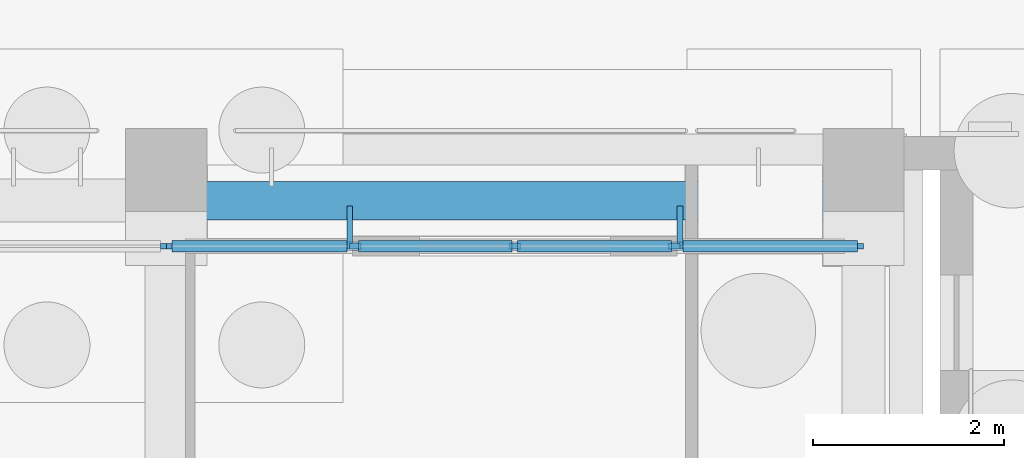
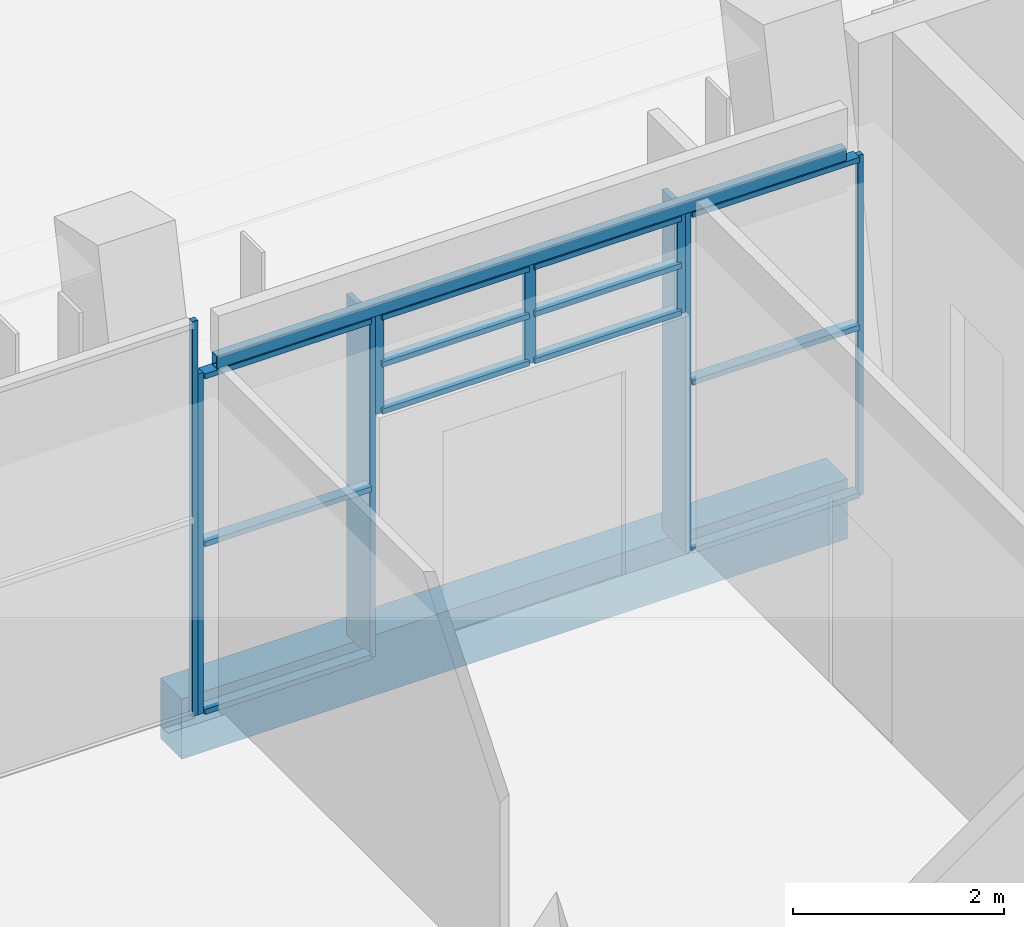
# One storey, part 82 of 144: 20 members, 2 beams, 4 elements without a shape of their own.
"""IFC4 building model written with IfcOpenShell, lengths in metres."""

from ifc_helpers import new_model, si_unit, direction, frame, origin, origin_2d, place, context, subcontext, project, spatial, rectangle, hollow_rectangle, extrude, material, material_profile, profile_set, type_object, element, aggregate, save


model = new_model("IFC4")

# Units and contexts
model_context = context("Model", 3, precision=1e-05, world=origin(), true_north=direction((0.0, 1.0)))
body_context = subcontext(model_context, "Body", "Model", "MODEL_VIEW")
ifc_project = project(units=[si_unit("LENGTHUNIT", "METRE"), si_unit("AREAUNIT", "SQUARE_METRE"), si_unit("VOLUMEUNIT", "CUBIC_METRE"), si_unit("PLANEANGLEUNIT", "RADIAN"), si_unit("MASSUNIT", "GRAM", prefix="KILO")], contexts=[model_context])

# Site, building, storey
site_placement = place(None, origin())
site = spatial("IfcSite", under=ifc_project, at=site_placement, CompositionType="ELEMENT")
building_placement = place(site_placement, origin())
building = spatial("IfcBuilding", under=site, at=building_placement, Name="Lantern Court Media Centre", CompositionType="ELEMENT")
storey_placement = place(building_placement, origin())
storey = spatial("IfcBuildingStorey", under=building, at=storey_placement, Name="L00", CompositionType="ELEMENT", Elevation=0.0)

# Curtain wall, members
ifc_material_1 = material(Name="Curtain wall bay 1700")
curtain_wall_type_1 = type_object("IfcCurtainWallType", Name="Curtain wall bay 1700", PredefinedType="NOTDEFINED", material=ifc_material_1)
curtain_wall_1_placement = place(storey_placement, origin())
curtain_wall_1 = element("IfcCurtainWall", 1, at=curtain_wall_1_placement, inside=storey, type_object=curtain_wall_type_1, Name="Curtain wall N outer L00", PredefinedType="NOTDEFINED")
ifc_material_2 = material(Name="Anodised aluminium", Category="aluminium")
ifc_material_profile_1 = material_profile(ifc_material_2, rectangle(XDim=0.06005859375, YDim=0.1201171875, at=origin_2d()), Name="AL 60x120")
ifc_profile_set_1 = profile_set([ifc_material_profile_1], Name="Anodised aluminium")
member_type_1 = type_object("IfcMemberType", Name="Curtain wall mullion 60x120", PredefinedType="MULLION", material=ifc_profile_set_1)
member_1_placement = place(storey_placement, frame((73.97998046875, 110.85009765625, 2.800048828125), z_axis=(0.0, 0.0, 1.0), x_axis=(0.0, 1.0, 0.0)))
member_1 = element("IfcMember", 2, at=member_1_placement, type_object=member_type_1, Name="CW4 mullion 1", PredefinedType="MULLION", context=body_context, shape_type="SweptSolid", body=[
    extrude(rectangle(XDim=0.06005859375, YDim=0.1201171875, at=origin_2d()), origin(), (0.0, 0.0, 1.0), 1.14990234375),
])
member_2_placement = place(storey_placement, frame((75.64990234375, 110.85009765625, 2.800048828125), z_axis=(0.0, 0.0, 1.0), x_axis=(0.0, 1.0, 0.0)))
member_2 = element("IfcMember", 3, at=member_2_placement, type_object=member_type_1, Name="CW4 mullion 2", PredefinedType="MULLION", context=body_context, shape_type="SweptSolid", body=[
    extrude(rectangle(XDim=0.06005859375, YDim=0.1201171875, at=origin_2d()), origin(), (0.0, 0.0, 1.0), 1.14990234375),
])
member_3_placement = place(storey_placement, frame((77.320068359375, 110.85009765625, 2.800048828125), z_axis=(0.0, 0.0, 1.0), x_axis=(0.0, 1.0, 0.0)))
member_3 = element("IfcMember", 4, at=member_3_placement, type_object=member_type_1, Name="CW4 mullion 3", PredefinedType="MULLION", context=body_context, shape_type="SweptSolid", body=[
    extrude(rectangle(XDim=0.06005859375, YDim=0.1201171875, at=origin_2d()), origin(), (0.0, 0.0, 1.0), 1.14990234375),
])

# Curtain wall, member
ifc_material_3 = material(Name="Curtain wall bay 3000")
curtain_wall_type_2 = type_object("IfcCurtainWallType", Name="Curtain wall bay 3000", PredefinedType="NOTDEFINED", material=ifc_material_3)
curtain_wall_2_placement = place(storey_placement, origin())
curtain_wall_2 = element("IfcCurtainWall", 5, at=curtain_wall_2_placement, inside=storey, type_object=curtain_wall_type_2, Name="Curtain wall N outer L00", PredefinedType="NOTDEFINED")
ifc_material_profile_2 = material_profile(ifc_material_2, rectangle(XDim=0.449951171875, YDim=0.06005859375, at=origin_2d()), Name="AL 60x450")
ifc_profile_set_2 = profile_set([ifc_material_profile_2], Name="Anodised aluminium")
member_type_2 = type_object("IfcMemberType", Name="Curtain wall mullion 60x450", PredefinedType="MULLION", material=ifc_profile_set_2)
member_4_placement = place(storey_placement, frame((73.919921875, 111.044921875, 0.0), z_axis=(0.0, 0.0, 1.0), x_axis=(0.0, 1.0, 0.0)))
member_4 = element("IfcMember", 6, at=member_4_placement, type_object=member_type_2, Name="CW1 mullion 2", PredefinedType="MULLION", context=body_context, shape_type="SweptSolid", body=[
    extrude(rectangle(XDim=0.449951171875, YDim=0.06005859375, at=origin_2d()), origin(), (0.0, 0.0, 1.0), 3.949951171875),
])

curtain_wall_3_placement = place(storey_placement, origin())
curtain_wall_3 = element("IfcCurtainWall", 7, at=curtain_wall_3_placement, inside=storey, type_object=curtain_wall_type_2, Name="Curtain wall N outer L00", PredefinedType="NOTDEFINED")
member_5_placement = place(storey_placement, frame((77.3798828125, 111.044921875, 0.0), z_axis=(0.0, 0.0, 1.0), x_axis=(0.0, 1.0, 0.0)))
member_5 = element("IfcMember", 8, at=member_5_placement, type_object=member_type_2, Name="CW1 mullion 1", PredefinedType="MULLION", context=body_context, shape_type="SweptSolid", body=[
    extrude(rectangle(XDim=0.449951171875, YDim=0.06005859375, at=origin_2d()), origin(), (0.0, 0.0, 1.0), 3.949951171875),
])

curtain_wall_4_placement = place(storey_placement, origin())
curtain_wall_4 = element("IfcCurtainWall", 9, at=curtain_wall_4_placement, inside=storey, type_object=curtain_wall_type_2, Name="Curtain wall N outer L00", PredefinedType="NOTDEFINED")
ifc_material_profile_3 = material_profile(ifc_material_2, rectangle(XDim=0.06005859375, YDim=0.06005859375, at=origin_2d()), Name="AL 60x60")
ifc_profile_set_3 = profile_set([ifc_material_profile_3], Name="Anodised aluminium")
member_type_3 = type_object("IfcMemberType", Name="Curtain wall mullion 60x60", PredefinedType="MULLION", material=ifc_profile_set_3)
member_6_placement = place(storey_placement, frame((71.969970703125, 110.85009765625, 0.0), z_axis=(0.0, 0.0, 1.0), x_axis=(0.0, 1.0, 0.0)))
member_6 = element("IfcMember", 10, at=member_6_placement, type_object=member_type_3, Name="CW1 mullion 3", PredefinedType="MULLION", context=body_context, shape_type="SweptSolid", body=[
    extrude(rectangle(XDim=0.06005859375, YDim=0.06005859375, at=origin_2d()), origin(), (0.0, 0.0, 1.0), 4.580078125),
])
aggregate(curtain_wall_4, [member_6])

# Member
member_7_placement = place(storey_placement, frame((72.030029296875, 110.85009765625, 0.0), z_axis=(0.0, 0.0, 1.0), x_axis=(0.0, 1.0, 0.0)))
member_7 = element("IfcMember", 11, at=member_7_placement, type_object=member_type_3, Name="CW1 mullion 1", PredefinedType="MULLION", context=body_context, shape_type="SweptSolid", body=[
    extrude(rectangle(XDim=0.06005859375, YDim=0.06005859375, at=origin_2d()), origin(), (0.0, 0.0, 1.0), 3.949951171875),
])

member_8_placement = place(storey_placement, frame((79.27001953125, 110.85009765625, 0.0), z_axis=(0.0, 0.0, 1.0), x_axis=(0.0, 1.0, 0.0)))
member_8 = element("IfcMember", 12, at=member_8_placement, type_object=member_type_3, Name="CW1 mullion 2", PredefinedType="MULLION", context=body_context, shape_type="SweptSolid", body=[
    extrude(rectangle(XDim=0.06005859375, YDim=0.06005859375, at=origin_2d()), origin(), (0.0, 0.0, 1.0), 3.949951171875),
])

ifc_material_profile_4 = material_profile(ifc_material_2, rectangle(XDim=0.1201171875, YDim=0.06005859375, at=origin_2d()), Name="AL 60x120")
ifc_profile_set_4 = profile_set([ifc_material_profile_4], Name="Anodised aluminium")
member_type_4 = type_object("IfcMemberType", Name="Curtain wall transom 60x120", PredefinedType="USERDEFINED", material=ifc_profile_set_4)
member_9_placement = place(storey_placement, frame((72.06005859375, 110.85009765625, 0.030029296875), z_axis=(1.0, 0.0, 0.0), x_axis=(0.0, 1.0, 0.0)))
member_9 = element("IfcMember", 13, at=member_9_placement, type_object=member_type_4, Name="CW1 transom 1.1", ObjectType="TRANSOM", PredefinedType="USERDEFINED", context=body_context, shape_type="SweptSolid", body=[
    extrude(rectangle(XDim=0.1201171875, YDim=0.06005859375, at=origin_2d()), origin(), (0.0, 0.0, 1.0), 1.829833984375),
])

member_10_placement = place(storey_placement, frame((72.06005859375, 110.85009765625, 1.97509765625), z_axis=(1.0, 0.0, 0.0), x_axis=(0.0, 1.0, 0.0)))
member_10 = element("IfcMember", 14, at=member_10_placement, type_object=member_type_4, Name="CW1 transom 1.2", ObjectType="TRANSOM", PredefinedType="USERDEFINED", context=body_context, shape_type="SweptSolid", body=[
    extrude(rectangle(XDim=0.1201171875, YDim=0.06005859375, at=origin_2d()), origin(), (0.0, 0.0, 1.0), 1.829833984375),
])

member_11_placement = place(storey_placement, frame((72.06005859375, 110.85009765625, 3.919921875), z_axis=(1.0, 0.0, 0.0), x_axis=(0.0, 1.0, 0.0)))
member_11 = element("IfcMember", 15, at=member_11_placement, type_object=member_type_4, Name="CW1 transom 1.3", ObjectType="TRANSOM", PredefinedType="USERDEFINED", context=body_context, shape_type="SweptSolid", body=[
    extrude(rectangle(XDim=0.1201171875, YDim=0.06005859375, at=origin_2d()), origin(), (0.0, 0.0, 1.0), 1.829833984375),
])

aggregate(curtain_wall_2, [member_7, member_4, member_9, member_10, member_11])

member_12_placement = place(storey_placement, frame((77.409912109375, 110.85009765625, 0.030029296875), z_axis=(1.0, 0.0, 0.0), x_axis=(0.0, 1.0, 0.0)))
member_12 = element("IfcMember", 16, at=member_12_placement, type_object=member_type_4, Name="CW1 transom 1.1", ObjectType="TRANSOM", PredefinedType="USERDEFINED", context=body_context, shape_type="SweptSolid", body=[
    extrude(rectangle(XDim=0.1201171875, YDim=0.06005859375, at=origin_2d()), origin(), (0.0, 0.0, 1.0), 1.830078125),
])

member_13_placement = place(storey_placement, frame((77.409912109375, 110.85009765625, 1.97509765625), z_axis=(1.0, 0.0, 0.0), x_axis=(0.0, 1.0, 0.0)))
member_13 = element("IfcMember", 17, at=member_13_placement, type_object=member_type_4, Name="CW1 transom 1.2", ObjectType="TRANSOM", PredefinedType="USERDEFINED", context=body_context, shape_type="SweptSolid", body=[
    extrude(rectangle(XDim=0.1201171875, YDim=0.06005859375, at=origin_2d()), origin(), (0.0, 0.0, 1.0), 1.830078125),
])

member_14_placement = place(storey_placement, frame((77.409912109375, 110.85009765625, 3.919921875), z_axis=(1.0, 0.0, 0.0), x_axis=(0.0, 1.0, 0.0)))
member_14 = element("IfcMember", 18, at=member_14_placement, type_object=member_type_4, Name="CW1 transom 1.3", ObjectType="TRANSOM", PredefinedType="USERDEFINED", context=body_context, shape_type="SweptSolid", body=[
    extrude(rectangle(XDim=0.1201171875, YDim=0.06005859375, at=origin_2d()), origin(), (0.0, 0.0, 1.0), 1.830078125),
])

aggregate(curtain_wall_3, [member_5, member_8, member_12, member_13, member_14])

member_15_placement = place(storey_placement, frame((74.010009765625, 110.85009765625, 2.830078125), z_axis=(1.0, 0.0, 0.0), x_axis=(0.0, 1.0, 0.0)))
member_15 = element("IfcMember", 19, at=member_15_placement, type_object=member_type_4, Name="CW4 transom 1.1", ObjectType="TRANSOM", PredefinedType="USERDEFINED", context=body_context, shape_type="SweptSolid", body=[
    extrude(rectangle(XDim=0.1201171875, YDim=0.06005859375, at=origin_2d()), origin(), (0.0, 0.0, 1.0), 1.610107421875),
])

member_16_placement = place(storey_placement, frame((74.010009765625, 110.85009765625, 3.375), z_axis=(1.0, 0.0, 0.0), x_axis=(0.0, 1.0, 0.0)))
member_16 = element("IfcMember", 20, at=member_16_placement, type_object=member_type_4, Name="CW4 transom 1.2", ObjectType="TRANSOM", PredefinedType="USERDEFINED", context=body_context, shape_type="SweptSolid", body=[
    extrude(rectangle(XDim=0.1201171875, YDim=0.06005859375, at=origin_2d()), origin(), (0.0, 0.0, 1.0), 1.610107421875),
])

member_17_placement = place(storey_placement, frame((74.010009765625, 110.85009765625, 3.919921875), z_axis=(1.0, 0.0, 0.0), x_axis=(0.0, 1.0, 0.0)))
member_17 = element("IfcMember", 21, at=member_17_placement, type_object=member_type_4, Name="CW4 transom 1.3", ObjectType="TRANSOM", PredefinedType="USERDEFINED", context=body_context, shape_type="SweptSolid", body=[
    extrude(rectangle(XDim=0.1201171875, YDim=0.06005859375, at=origin_2d()), origin(), (0.0, 0.0, 1.0), 1.610107421875),
])

member_18_placement = place(storey_placement, frame((75.679931640625, 110.85009765625, 2.830078125), z_axis=(1.0, 0.0, 0.0), x_axis=(0.0, 1.0, 0.0)))
member_18 = element("IfcMember", 22, at=member_18_placement, type_object=member_type_4, Name="CW4 transom 2.1", ObjectType="TRANSOM", PredefinedType="USERDEFINED", context=body_context, shape_type="SweptSolid", body=[
    extrude(rectangle(XDim=0.1201171875, YDim=0.06005859375, at=origin_2d()), origin(), (0.0, 0.0, 1.0), 1.610107421875),
])

member_19_placement = place(storey_placement, frame((75.679931640625, 110.85009765625, 3.375), z_axis=(1.0, 0.0, 0.0), x_axis=(0.0, 1.0, 0.0)))
member_19 = element("IfcMember", 23, at=member_19_placement, type_object=member_type_4, Name="CW4 transom 2.2", ObjectType="TRANSOM", PredefinedType="USERDEFINED", context=body_context, shape_type="SweptSolid", body=[
    extrude(rectangle(XDim=0.1201171875, YDim=0.06005859375, at=origin_2d()), origin(), (0.0, 0.0, 1.0), 1.610107421875),
])

member_20_placement = place(storey_placement, frame((75.679931640625, 110.85009765625, 3.919921875), z_axis=(1.0, 0.0, 0.0), x_axis=(0.0, 1.0, 0.0)))
member_20 = element("IfcMember", 24, at=member_20_placement, type_object=member_type_4, Name="CW4 transom 2.3", ObjectType="TRANSOM", PredefinedType="USERDEFINED", context=body_context, shape_type="SweptSolid", body=[
    extrude(rectangle(XDim=0.1201171875, YDim=0.06005859375, at=origin_2d()), origin(), (0.0, 0.0, 1.0), 1.610107421875),
])

aggregate(curtain_wall_1, [member_1, member_2, member_3, member_15, member_16, member_17, member_18, member_19, member_20])

# Beams
ifc_material_4 = material(Name="Steel S355J2 (EN 10025-2)", Category="steel")
ifc_material_profile_5 = material_profile(ifc_material_4, hollow_rectangle(XDim=0.10009765625, YDim=0.14990234375, WallThickness=0.00634765625, InnerFilletRadius=0.00634765625, OuterFilletRadius=0.009521484375, at=origin_2d()), Name="Facade head lintel RHS 150x100x6.3")
ifc_profile_set_5 = profile_set([ifc_material_profile_5], Name="Steel S355J2 (EN 10025-2)")
beam_type_1 = type_object("IfcBeamType", Name="Facade head lintel RHS 150x100x6.3", PredefinedType="BEAM", material=ifc_profile_set_5)
beam_1_placement = place(storey_placement, frame((72.199951171875, 110.85009765625, 4.02490234375), z_axis=(1.0, 0.0, 0.0), x_axis=(0.0, 1.0, 0.0)))
element("IfcBeam", 25, at=beam_1_placement, inside=storey, type_object=beam_type_1, Name="Facade head lintel N L00", PredefinedType="BEAM", context=body_context, shape_type="SweptSolid", body=[
    extrude(hollow_rectangle(XDim=0.10009765625, YDim=0.14990234375, WallThickness=0.00634765625, InnerFilletRadius=0.00634765625, OuterFilletRadius=0.009521484375, at=origin_2d()), origin(), (0.0, 0.0, 1.0), 6.900146484375),
])
ifc_material_5 = material(Name="Concrete C35", Category="concrete")
ifc_material_profile_6 = material_profile(ifc_material_5, rectangle(XDim=0.39990234375, YDim=0.699951171875, at=origin_2d()), Name="RC 400x700")
ifc_profile_set_6 = profile_set([ifc_material_profile_6], Name="Concrete C35")
beam_type_2 = type_object("IfcBeamType", Name="RC BEAM 400x700", PredefinedType="BEAM", material=ifc_profile_set_6)
beam_2_placement = place(storey_placement, frame((72.0, 111.3271484375, -0.35009765625), z_axis=(1.0, 0.0, 0.0), x_axis=(0.0, 1.0, 0.0)))
element("IfcBeam", 26, at=beam_2_placement, inside=storey, type_object=beam_type_2, Name="LB-N-L00-2-6", PredefinedType="BEAM", context=body_context, shape_type="SweptSolid", body=[
    extrude(rectangle(XDim=0.39990234375, YDim=0.699951171875, at=origin_2d()), origin(), (0.0, 0.0, 1.0), 7.300048828125),
])

save(model, "model.ifc")
